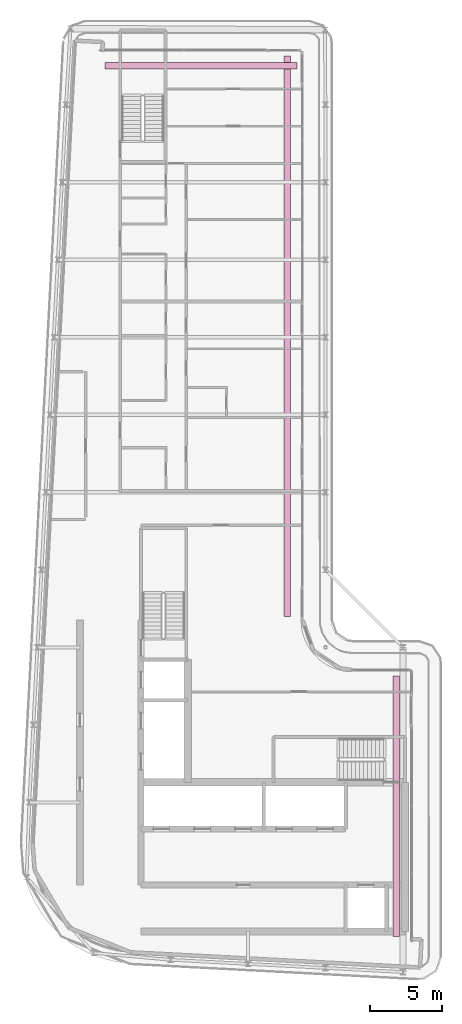
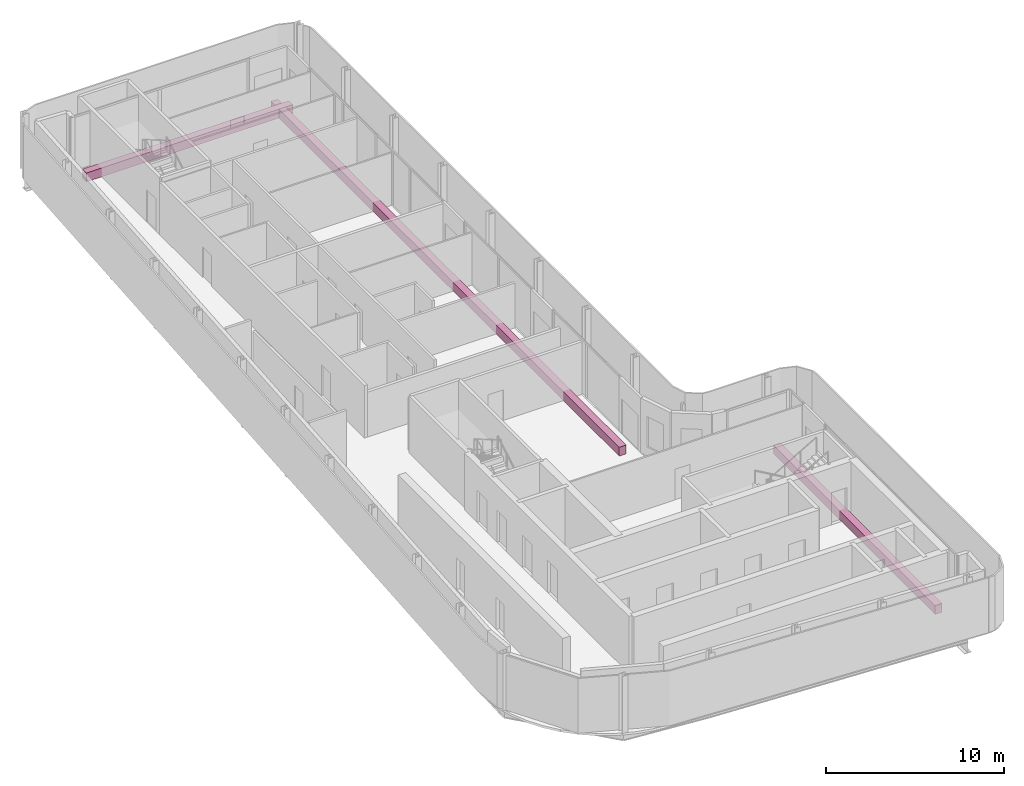
# One storey, part 17 of 17: 3 furniture elements.
"""IFC4 building model written with IfcOpenShell, lengths in metres."""

from ifc_helpers import new_model, si_unit, direction, frame, origin, origin_2d, place, context, subcontext, project, spatial, rectangle, extrude, material, type_object, element, save


model = new_model("IFC4")

# Units and contexts
model_context = context("Model", 3, precision=1e-05, world=origin(), true_north=direction((0.0, 1.0)))
body_context = subcontext(model_context, "Body", "Model", "MODEL_VIEW")
ifc_project = project(units=[si_unit("LENGTHUNIT", "METRE"), si_unit("AREAUNIT", "SQUARE_METRE"), si_unit("VOLUMEUNIT", "CUBIC_METRE"), si_unit("PLANEANGLEUNIT", "RADIAN"), si_unit("MASSUNIT", "GRAM", prefix="KILO")], contexts=[model_context])

# Site, building, storey
site_placement = place(None, origin())
site = spatial("IfcSite", under=ifc_project, at=site_placement, CompositionType="ELEMENT")
building_placement = place(site_placement, origin())
building = spatial("IfcBuilding", under=site, at=building_placement, Name="Kheshtan School and Residences Tower", CompositionType="ELEMENT")
storey_placement = place(building_placement, frame((0.0, 0.0, 342.199951171875)))
storey = spatial("IfcBuildingStorey", under=building, at=storey_placement, Name="L80", CompositionType="ELEMENT", Elevation=342.199951171875)

# Furniture
ifc_material = material(Name="Precast concrete C30/37 in terracotta finish", Category="masonry")
furniture_type = type_object("IfcFurnitureType", Name="Planter trough", AssemblyPlace="NOTDEFINED", PredefinedType="USERDEFINED", material=ifc_material)
furniture_1_placement = place(storey_placement, frame((38.912109375, 86.125, 0.0), z_axis=(0.0, 0.0, 1.0), x_axis=(1.0, 0.0, 0.0)))
element("IfcFurniture", 1, at=furniture_1_placement, inside=storey, type_object=furniture_type, Name="Planter L80", ObjectType="PLANTER", PredefinedType="USERDEFINED", context=body_context, shape_type="SweptSolid", body=[
    extrude(rectangle(XDim=13.3759765625, YDim=0.449951171875, at=origin_2d()), origin(), (0.0, 0.0, 1.0), 0.60009765625),
])
furniture_2_placement = place(storey_placement, frame((44.925048828125, 67.264892578125, 0.0), z_axis=(0.0, 0.0, 1.0), x_axis=(0.0, -1.0, 0.0)))
element("IfcFurniture", 2, at=furniture_2_placement, inside=storey, type_object=furniture_type, Name="Planter L80", ObjectType="PLANTER", PredefinedType="USERDEFINED", context=body_context, shape_type="SweptSolid", body=[
    extrude(rectangle(XDim=39.070068359375, YDim=0.449951171875, at=origin_2d()), origin(), (0.0, 0.0, 1.0), 0.60009765625),
])
furniture_3_placement = place(storey_placement, frame((52.52490234375, 34.528076171875, 0.0), z_axis=(0.0, 0.0, 1.0), x_axis=(0.0, -1.0, 0.0)))
element("IfcFurniture", 3, at=furniture_3_placement, inside=storey, type_object=furniture_type, Name="Planter L80", ObjectType="PLANTER", PredefinedType="USERDEFINED", context=body_context, shape_type="SweptSolid", body=[
    extrude(rectangle(XDim=18.14404296875, YDim=0.449951171875, at=origin_2d()), origin(), (0.0, 0.0, 1.0), 0.60009765625),
])

save(model, "model.ifc")
